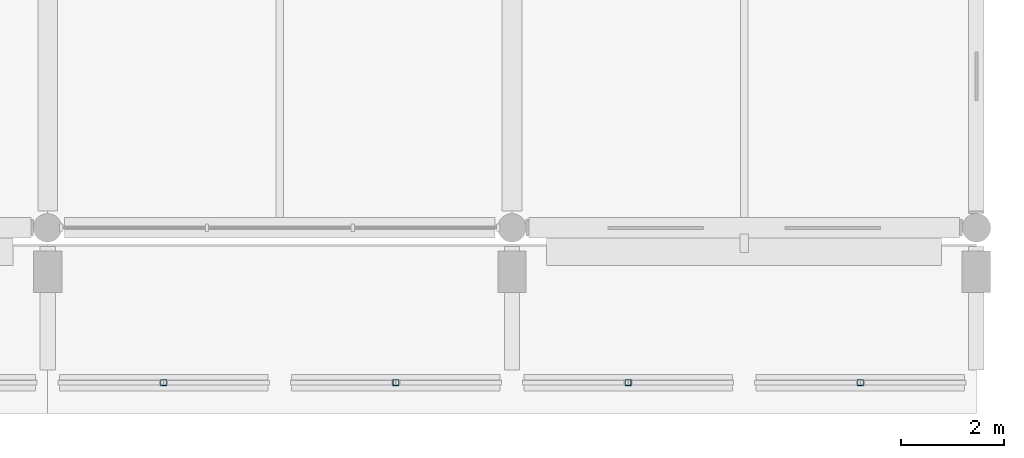
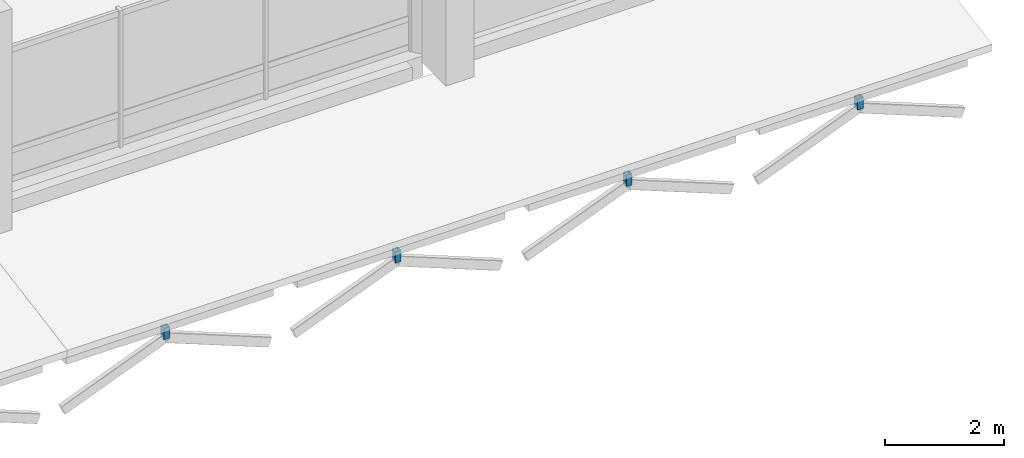
# One storey, part 91 of 132: 4 members.
"""IFC4 building model written with IfcOpenShell, lengths in metres."""

from ifc_helpers import new_model, si_unit, direction, frame, origin, origin_2d, place, context, subcontext, project, spatial, hollow_rectangle, extrude, material, material_profile, profile_set, type_object, element, save


model = new_model("IFC4")

# Units and contexts
model_context = context("Model", 3, precision=1e-05, world=origin(), true_north=direction((0.0, 1.0)))
body_context = subcontext(model_context, "Body", "Model", "MODEL_VIEW")
ifc_project = project(units=[si_unit("LENGTHUNIT", "METRE"), si_unit("AREAUNIT", "SQUARE_METRE"), si_unit("VOLUMEUNIT", "CUBIC_METRE"), si_unit("PLANEANGLEUNIT", "RADIAN"), si_unit("MASSUNIT", "GRAM", prefix="KILO")], contexts=[model_context])

# Site, building, storey
site_placement = place(None, origin())
site = spatial("IfcSite", under=ifc_project, at=site_placement, CompositionType="ELEMENT")
building_placement = place(site_placement, origin())
building = spatial("IfcBuilding", under=site, at=building_placement, Name="Tharagai Park Tramway Depot", CompositionType="ELEMENT")
storey_placement = place(building_placement, frame((0.0, 0.0, 4.800048828125)))
storey = spatial("IfcBuildingStorey", under=building, at=storey_placement, Name="L01", CompositionType="ELEMENT", Elevation=4.800048828125)

# Members
ifc_material = material(Name="Steel E250", Category="steel")
ifc_material_profile = material_profile(ifc_material, hollow_rectangle(XDim=0.1201171875, YDim=0.1201171875, WallThickness=0.0048828125, InnerFilletRadius=0.0048828125, OuterFilletRadius=0.010009765625, at=origin_2d()), Name="SHS 120x120x5")
ifc_profile_set = profile_set([ifc_material_profile], Name="Steel E250")
member_type = type_object("IfcMemberType", Name="BR-08", PredefinedType="BRACE", material=ifc_profile_set)
for number, where, z_axis, x_axis, name in (
    (1, (173.25, -3.0, -1.840087890625), (0.0, 0.0, 1.0), (1.0, 0.0, 0.0), "Pointed Gothic Spandrel Tracery Post BR-08"),
    (2, (177.75, -3.0, -1.840087890625), (0.0, 0.0, 1.0), (1.0, 0.0, 0.0), "Pointed Gothic Spandrel Tracery Post BR-08"),
    (3, (182.25, -3.0, -1.840087890625), (0.0, 0.0, 1.0), (1.0, 0.0, 0.0), "Pointed Gothic Spandrel Tracery Post BR-08"),
    (4, (186.75, -3.0, -1.840087890625), (0.0, 0.0, 1.0), (1.0, 0.0, 0.0), "Pointed Gothic Spandrel Tracery Post BR-08"),
):
    element("IfcMember", number, at=place(storey_placement, frame(where, z_axis=z_axis, x_axis=x_axis)), inside=storey, type_object=member_type, Name=name, PredefinedType="BRACE", context=body_context, shape_type="SweptSolid", body=[
        extrude(hollow_rectangle(XDim=0.1201171875, YDim=0.1201171875, WallThickness=0.0048828125, InnerFilletRadius=0.0048828125, OuterFilletRadius=0.010009765625, at=origin_2d()), origin(), (0.0, 0.0, 1.0), 0.22998046875),
    ])

save(model, "model.ifc")
